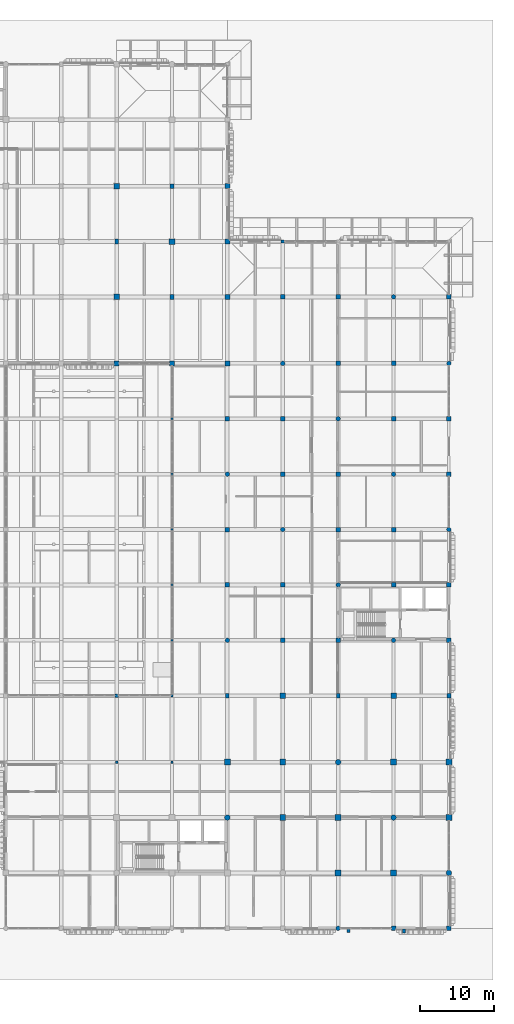
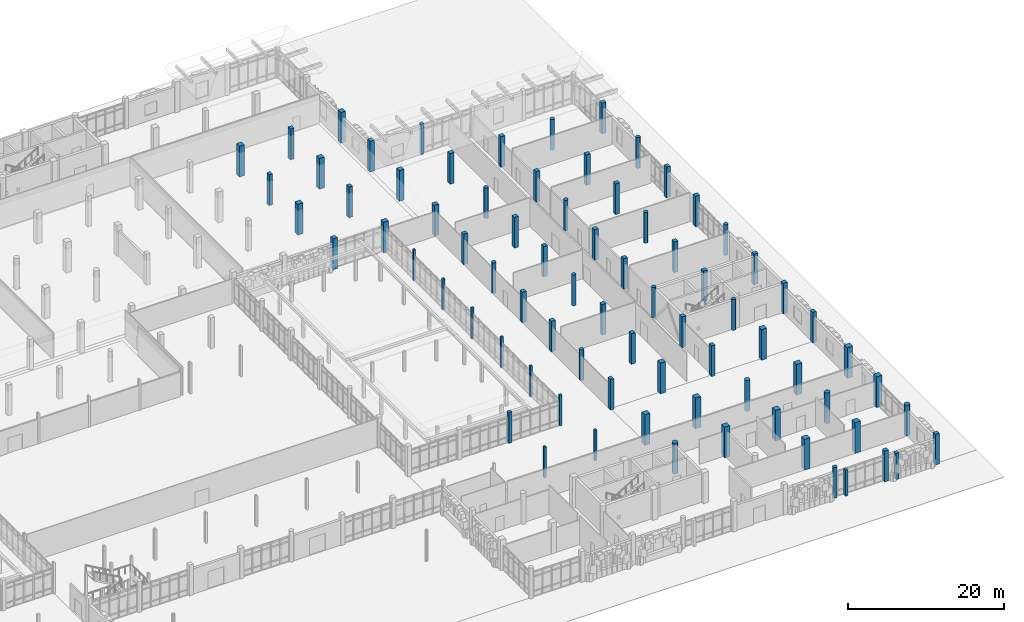
# One storey, part 12 of 125: 78 columns.
"""IFC4 building model written with IfcOpenShell, lengths in metres."""

from ifc_helpers import new_model, si_unit, direction, frame, origin, origin_2d, place, context, subcontext, project, spatial, rectangle, circle, extrude, material, material_profile, profile_set, type_object, element, save


model = new_model("IFC4")

# Units and contexts
model_context = context("Model", 3, precision=1e-05, world=origin(), true_north=direction((0.0, 1.0)))
body_context = subcontext(model_context, "Body", "Model", "MODEL_VIEW")
ifc_project = project(units=[si_unit("LENGTHUNIT", "METRE"), si_unit("AREAUNIT", "SQUARE_METRE"), si_unit("VOLUMEUNIT", "CUBIC_METRE"), si_unit("PLANEANGLEUNIT", "RADIAN"), si_unit("MASSUNIT", "GRAM", prefix="KILO")], contexts=[model_context])

# Site, building, storey
site_placement = place(None, origin())
site = spatial("IfcSite", under=ifc_project, at=site_placement, CompositionType="ELEMENT")
building_placement = place(site_placement, origin())
building = spatial("IfcBuilding", under=site, at=building_placement, Name="Dalvernix Boulevard General Hospital", CompositionType="ELEMENT")
storey_placement = place(building_placement, origin())
storey = spatial("IfcBuildingStorey", under=building, at=storey_placement, Name="L00", CompositionType="ELEMENT", Elevation=0.0)

# Columns
ifc_material_1 = material(Name="Concrete C40/50", Category="concrete")
ifc_material_profile_1 = material_profile(ifc_material_1, rectangle(XDim=0.800048828125, YDim=0.800048828125, at=origin_2d()), Name="RC 800x800")
ifc_profile_set_1 = profile_set([ifc_material_profile_1], Name="Concrete C40/50")
column_type_1 = type_object("IfcColumnType", Name="COL-C-03-E", PredefinedType="COLUMN", material=ifc_profile_set_1)
for number, where, z_axis, x_axis, name in (
    (1, (172.5, 15.0, 0.0), (0.0, 0.0, 1.0), (1.0, 0.0, 0.0), "L00 column 24C"),
    (2, (172.5, 22.5, 0.0), (0.0, 0.0, 1.0), (1.0, 0.0, 0.0), "L00 column 24D"),
):
    element("IfcColumn", number, at=place(storey_placement, frame(where, z_axis=z_axis, x_axis=x_axis)), inside=storey, type_object=column_type_1, Name=name, PredefinedType="COLUMN", context=body_context, shape_type="SweptSolid", body=[
        extrude(rectangle(XDim=0.800048828125, YDim=0.800048828125, at=origin_2d()), origin(), (0.0, 0.0, 1.0), 4.800048828125),
    ])
ifc_material_profile_2 = material_profile(ifc_material_1, rectangle(XDim=0.800048828125, YDim=0.800048828125, at=origin_2d()), Name="RC 800x800")
ifc_profile_set_2 = profile_set([ifc_material_profile_2], Name="Concrete C40/50")
column_type_2 = type_object("IfcColumnType", Name="COL-C-03-I", PredefinedType="COLUMN", material=ifc_profile_set_2)
for number, where, z_axis, x_axis, name in (
    (3, (142.5, 22.5, 0.0), (0.0, 0.0, 1.0), (1.0, 0.0, 0.0), "L00 column 20D"),
    (4, (150.0, 15.0, 0.0), (0.0, 0.0, 1.0), (1.0, 0.0, 0.0), "L00 column 21C"),
    (5, (150.0, 22.5, 0.0), (0.0, 0.0, 1.0), (1.0, 0.0, 0.0), "L00 column 21D"),
    (6, (157.5, 7.5, 0.0), (0.0, 0.0, 1.0), (1.0, 0.0, 0.0), "L00 column 22B"),
    (7, (157.5, 15.0, 0.0), (0.0, 0.0, 1.0), (1.0, 0.0, 0.0), "L00 column 22C"),
    (8, (165.0, 7.5, 0.0), (0.0, 0.0, 1.0), (1.0, 0.0, 0.0), "L00 column 23B"),
    (9, (165.0, 22.5, 0.0), (0.0, 0.0, 1.0), (1.0, 0.0, 0.0), "L00 column 23D"),
):
    element("IfcColumn", number, at=place(storey_placement, frame(where, z_axis=z_axis, x_axis=x_axis)), inside=storey, type_object=column_type_2, Name=name, PredefinedType="COLUMN", context=body_context, shape_type="SweptSolid", body=[
        extrude(rectangle(XDim=0.800048828125, YDim=0.800048828125, at=origin_2d()), origin(), (0.0, 0.0, 1.0), 4.800048828125),
    ])
ifc_material_profile_3 = material_profile(ifc_material_1, rectangle(XDim=0.75, YDim=0.75, at=origin_2d()), Name="RC 750x750")
ifc_profile_set_3 = profile_set([ifc_material_profile_3], Name="Concrete C40/50")
column_type_3 = type_object("IfcColumnType", Name="COL-C-04-I", PredefinedType="COLUMN", material=ifc_profile_set_3)
for number, where, z_axis, x_axis, name in (
    (10, (127.5, 85.5, 0.0), (0.0, 0.0, 1.0), (1.0, 0.0, 0.0), "L00 column 18M"),
    (11, (127.5, 100.5, 0.0), (0.0, 0.0, 1.0), (1.0, 0.0, 0.0), "L00 column 18P"),
    (12, (135.0, 93.0, 0.0), (0.0, 0.0, 1.0), (1.0, 0.0, 0.0), "L00 column 19N"),
    (13, (150.0, 31.5, 0.0), (0.0, 0.0, 1.0), (1.0, 0.0, 0.0), "L00 column 21E"),
    (14, (165.0, 31.5, 0.0), (0.0, 0.0, 1.0), (1.0, 0.0, 0.0), "L00 column 23E"),
):
    element("IfcColumn", number, at=place(storey_placement, frame(where, z_axis=z_axis, x_axis=x_axis)), inside=storey, type_object=column_type_3, Name=name, PredefinedType="COLUMN", context=body_context, shape_type="SweptSolid", body=[
        extrude(rectangle(XDim=0.75, YDim=0.75, at=origin_2d()), origin(), (0.0, 0.0, 1.0), 4.800048828125),
    ])
ifc_material_profile_4 = material_profile(ifc_material_1, rectangle(XDim=0.699951171875, YDim=0.699951171875, at=origin_2d()), Name="RC 700x700")
ifc_profile_set_4 = profile_set([ifc_material_profile_4], Name="Concrete C40/50")
column_type_4 = type_object("IfcColumnType", Name="COL-C-05-E", PredefinedType="COLUMN", material=ifc_profile_set_4)
for number, where, z_axis, x_axis, name in (
    (15, (135.0, 76.5, 0.0), (0.0, 0.0, 1.0), (1.0, 0.0, 0.0), "L00 column 19L"),
    (16, (142.5, 100.5, 0.0), (0.0, 0.0, 1.0), (1.0, 0.0, 0.0), "L00 column 20P"),
):
    element("IfcColumn", number, at=place(storey_placement, frame(where, z_axis=z_axis, x_axis=x_axis)), inside=storey, type_object=column_type_4, Name=name, PredefinedType="COLUMN", context=body_context, shape_type="SweptSolid", body=[
        extrude(rectangle(XDim=0.699951171875, YDim=0.699951171875, at=origin_2d()), origin(), (0.0, 0.0, 1.0), 4.800048828125),
    ])
ifc_material_profile_5 = material_profile(ifc_material_1, rectangle(XDim=0.699951171875, YDim=0.699951171875, at=origin_2d()), Name="RC 700x700")
ifc_profile_set_5 = profile_set([ifc_material_profile_5], Name="Concrete C40/50")
column_type_5 = type_object("IfcColumnType", Name="COL-C-05-I", PredefinedType="COLUMN", material=ifc_profile_set_5)
column_1_placement = place(storey_placement, frame((142.5, 85.5, 0.0), z_axis=(0.0, 0.0, 1.0), x_axis=(1.0, 0.0, 0.0)))
element("IfcColumn", 17, at=column_1_placement, inside=storey, type_object=column_type_5, Name="L00 column 20M", PredefinedType="COLUMN", context=body_context, shape_type="SweptSolid", body=[
    extrude(rectangle(XDim=0.699951171875, YDim=0.699951171875, at=origin_2d()), origin(), (0.0, 0.0, 1.0), 4.800048828125),
])
ifc_material_profile_6 = material_profile(ifc_material_1, rectangle(XDim=0.64990234375, YDim=0.64990234375, at=origin_2d()), Name="RC 650x650")
ifc_profile_set_6 = profile_set([ifc_material_profile_6], Name="Concrete C40/50")
column_type_6 = type_object("IfcColumnType", Name="COL-C-06-E", PredefinedType="COLUMN", material=ifc_profile_set_6)
for number, where, z_axis, x_axis, name in (
    (18, (127.5, 76.5, 0.0), (0.0, 0.0, 1.0), (1.0, 0.0, 0.0), "L00 column 18L"),
    (19, (142.5, 93.0, 0.0), (0.0, 0.0, 1.0), (1.0, 0.0, 0.0), "L00 column 20N"),
):
    element("IfcColumn", number, at=place(storey_placement, frame(where, z_axis=z_axis, x_axis=x_axis)), inside=storey, type_object=column_type_6, Name=name, PredefinedType="COLUMN", context=body_context, shape_type="SweptSolid", body=[
        extrude(rectangle(XDim=0.64990234375, YDim=0.64990234375, at=origin_2d()), origin(), (0.0, 0.0, 1.0), 4.800048828125),
    ])
ifc_material_profile_7 = material_profile(ifc_material_1, rectangle(XDim=0.64990234375, YDim=0.64990234375, at=origin_2d()), Name="RC 650x650")
ifc_profile_set_7 = profile_set([ifc_material_profile_7], Name="Concrete C40/50")
column_type_7 = type_object("IfcColumnType", Name="COL-C-06-I", PredefinedType="COLUMN", material=ifc_profile_set_7)
column_2_placement = place(storey_placement, frame((142.5, 76.5, 0.0), z_axis=(0.0, 0.0, 1.0), x_axis=(1.0, 0.0, 0.0)))
element("IfcColumn", 20, at=column_2_placement, inside=storey, type_object=column_type_7, Name="L00 column 20L", PredefinedType="COLUMN", context=body_context, shape_type="SweptSolid", body=[
    extrude(rectangle(XDim=0.64990234375, YDim=0.64990234375, at=origin_2d()), origin(), (0.0, 0.0, 1.0), 4.800048828125),
])
ifc_material_profile_8 = material_profile(ifc_material_1, rectangle(XDim=0.60009765625, YDim=0.60009765625, at=origin_2d()), Name="RC 600x600")
ifc_profile_set_8 = profile_set([ifc_material_profile_8], Name="Concrete C40/50")
column_type_8 = type_object("IfcColumnType", Name="COL-C-07-E", PredefinedType="COLUMN", material=ifc_profile_set_8)
for number, where, z_axis, x_axis, name in (
    (21, (165.0, 0.0, 0.0), (0.0, 0.0, 1.0), (1.0, 0.0, 0.0), "L00 column 23A"),
    (22, (172.5, 0.0, 0.0), (0.0, 0.0, 1.0), (1.0, 0.0, 0.0), "L00 column 24A"),
    (23, (172.5, 39.0, 0.0), (0.0, 0.0, 1.0), (1.0, 0.0, 0.0), "L00 column 24F"),
    (24, (172.5, 46.5, 0.0), (0.0, 0.0, 1.0), (1.0, 0.0, 0.0), "L00 column 24G"),
    (25, (172.5, 61.5, 0.0), (0.0, 0.0, 1.0), (1.0, 0.0, 0.0), "L00 column 24J"),
    (26, (172.5, 69.0, 0.0), (0.0, 0.0, 1.0), (1.0, 0.0, 0.0), "L00 column 24K"),
    (27, (172.5, 85.5, 0.0), (0.0, 0.0, 1.0), (1.0, 0.0, 0.0), "L00 column 24M"),
):
    element("IfcColumn", number, at=place(storey_placement, frame(where, z_axis=z_axis, x_axis=x_axis)), inside=storey, type_object=column_type_8, Name=name, PredefinedType="COLUMN", context=body_context, shape_type="SweptSolid", body=[
        extrude(rectangle(XDim=0.60009765625, YDim=0.60009765625, at=origin_2d()), origin(), (0.0, 0.0, 1.0), 4.800048828125),
    ])
ifc_material_profile_9 = material_profile(ifc_material_1, rectangle(XDim=0.60009765625, YDim=0.60009765625, at=origin_2d()), Name="RC 600x600")
ifc_profile_set_9 = profile_set([ifc_material_profile_9], Name="Concrete C40/50")
column_type_9 = type_object("IfcColumnType", Name="COL-C-07-I", PredefinedType="COLUMN", material=ifc_profile_set_9)
for number, where, z_axis, x_axis, name in (
    (28, (142.5, 46.5, 0.0), (0.0, 0.0, 1.0), (1.0, 0.0, 0.0), "L00 column 20G"),
    (29, (142.5, 54.0, 0.0), (0.0, 0.0, 1.0), (1.0, 0.0, 0.0), "L00 column 20H"),
    (30, (142.5, 69.0, 0.0), (0.0, 0.0, 1.0), (1.0, 0.0, 0.0), "L00 column 20K"),
    (31, (150.0, 39.0, 0.0), (0.0, 0.0, 1.0), (1.0, 0.0, 0.0), "L00 column 21F"),
    (32, (150.0, 46.5, 0.0), (0.0, 0.0, 1.0), (1.0, 0.0, 0.0), "L00 column 21G"),
    (33, (150.0, 61.5, 0.0), (0.0, 0.0, 1.0), (1.0, 0.0, 0.0), "L00 column 21J"),
    (34, (150.0, 69.0, 0.0), (0.0, 0.0, 1.0), (1.0, 0.0, 0.0), "L00 column 21K"),
    (35, (150.0, 85.5, 0.0), (0.0, 0.0, 1.0), (1.0, 0.0, 0.0), "L00 column 21M"),
    (36, (157.5, 39.0, 0.0), (0.0, 0.0, 1.0), (1.0, 0.0, 0.0), "L00 column 22F"),
    (37, (157.5, 54.0, 0.0), (0.0, 0.0, 1.0), (1.0, 0.0, 0.0), "L00 column 22H"),
    (38, (157.5, 61.5, 0.0), (0.0, 0.0, 1.0), (1.0, 0.0, 0.0), "L00 column 22J"),
    (39, (157.5, 76.5, 0.0), (0.0, 0.0, 1.0), (1.0, 0.0, 0.0), "L00 column 22L"),
    (40, (157.5, 85.5, 0.0), (0.0, 0.0, 1.0), (1.0, 0.0, 0.0), "L00 column 22M"),
    (41, (165.0, 46.5, 0.0), (0.0, 0.0, 1.0), (1.0, 0.0, 0.0), "L00 column 23G"),
    (42, (165.0, 54.0, 0.0), (0.0, 0.0, 1.0), (1.0, 0.0, 0.0), "L00 column 23H"),
    (43, (165.0, 69.0, 0.0), (0.0, 0.0, 1.0), (1.0, 0.0, 0.0), "L00 column 23K"),
    (44, (165.0, 76.5, 0.0), (0.0, 0.0, 1.0), (1.0, 0.0, 0.0), "L00 column 23L"),
):
    element("IfcColumn", number, at=place(storey_placement, frame(where, z_axis=z_axis, x_axis=x_axis)), inside=storey, type_object=column_type_9, Name=name, PredefinedType="COLUMN", context=body_context, shape_type="SweptSolid", body=[
        extrude(rectangle(XDim=0.60009765625, YDim=0.60009765625, at=origin_2d()), origin(), (0.0, 0.0, 1.0), 4.800048828125),
    ])
ifc_material_profile_10 = material_profile(ifc_material_1, rectangle(XDim=0.5, YDim=0.5, at=origin_2d()), Name="RC 500x500")
ifc_profile_set_10 = profile_set([ifc_material_profile_10], Name="Concrete C40/50")
column_type_10 = type_object("IfcColumnType", Name="COL-C-09-E", PredefinedType="COLUMN", material=ifc_profile_set_10)
column_3_placement = place(storey_placement, frame((127.5, 31.5, 0.0), z_axis=(0.0, 0.0, 1.0), x_axis=(1.0, 0.0, 0.0)))
element("IfcColumn", 45, at=column_3_placement, inside=storey, type_object=column_type_10, Name="L00 column 18E", PredefinedType="COLUMN", context=body_context, shape_type="SweptSolid", body=[
    extrude(rectangle(XDim=0.5, YDim=0.5, at=origin_2d()), origin(), (0.0, 0.0, 1.0), 4.800048828125),
])
ifc_material_profile_11 = material_profile(ifc_material_1, rectangle(XDim=0.449951171875, YDim=0.449951171875, at=origin_2d()), Name="RC 450x450")
ifc_profile_set_11 = profile_set([ifc_material_profile_11], Name="Concrete C40/50")
column_type_11 = type_object("IfcColumnType", Name="COL-C-10-E", PredefinedType="COLUMN", material=ifc_profile_set_11)
column_4_placement = place(storey_placement, frame((150.0, 93.0, 0.0), z_axis=(0.0, 0.0, 1.0), x_axis=(1.0, 0.0, 0.0)))
element("IfcColumn", 46, at=column_4_placement, inside=storey, type_object=column_type_11, Name="L00 column 21N", PredefinedType="COLUMN", context=body_context, shape_type="SweptSolid", body=[
    extrude(rectangle(XDim=0.449951171875, YDim=0.449951171875, at=origin_2d()), origin(), (0.0, 0.0, 1.0), 4.800048828125),
])
ifc_material_profile_12 = material_profile(ifc_material_1, rectangle(XDim=0.5, YDim=0.64990234375, at=origin_2d()), Name="RC 500x650")
ifc_profile_set_12 = profile_set([ifc_material_profile_12], Name="Concrete C40/50")
column_type_12 = type_object("IfcColumnType", Name="COL-C-12-E", PredefinedType="COLUMN", material=ifc_profile_set_12)
column_5_placement = place(storey_placement, frame((172.5, 31.5, 0.0), z_axis=(0.0, 0.0, 1.0), x_axis=(1.0, 0.0, 0.0)))
element("IfcColumn", 47, at=column_5_placement, inside=storey, type_object=column_type_12, Name="L00 column 24E", PredefinedType="COLUMN", context=body_context, shape_type="SweptSolid", body=[
    extrude(rectangle(XDim=0.5, YDim=0.64990234375, at=origin_2d()), origin(), (0.0, 0.0, 1.0), 4.800048828125),
])
ifc_material_profile_13 = material_profile(ifc_material_1, rectangle(XDim=0.5, YDim=0.64990234375, at=origin_2d()), Name="RC 500x650")
ifc_profile_set_13 = profile_set([ifc_material_profile_13], Name="Concrete C40/50")
column_type_13 = type_object("IfcColumnType", Name="COL-C-12-I", PredefinedType="COLUMN", material=ifc_profile_set_13)
for number, where, z_axis, x_axis, name in (
    (48, (127.5, 93.0, 0.0), (0.0, 0.0, 1.0), (1.0, 0.0, 0.0), "L00 column 18N"),
    (49, (135.0, 85.5, 0.0), (0.0, 0.0, 1.0), (1.0, 0.0, 0.0), "L00 column 19M"),
    (50, (135.0, 100.5, 0.0), (0.0, 0.0, 1.0), (1.0, 0.0, 0.0), "L00 column 19P"),
    (51, (142.5, 31.5, 0.0), (0.0, 0.0, 1.0), (1.0, 0.0, 0.0), "L00 column 20E"),
    (52, (157.5, 31.5, 0.0), (0.0, 0.0, 1.0), (1.0, 0.0, 0.0), "L00 column 22E"),
):
    element("IfcColumn", number, at=place(storey_placement, frame(where, z_axis=z_axis, x_axis=x_axis)), inside=storey, type_object=column_type_13, Name=name, PredefinedType="COLUMN", context=body_context, shape_type="SweptSolid", body=[
        extrude(rectangle(XDim=0.5, YDim=0.64990234375, at=origin_2d()), origin(), (0.0, 0.0, 1.0), 4.800048828125),
    ])
ifc_material_profile_14 = material_profile(ifc_material_1, circle(Radius=0.375, at=origin_2d()), Name="RC D750")
ifc_profile_set_14 = profile_set([ifc_material_profile_14], Name="Concrete C40/50")
column_type_14 = type_object("IfcColumnType", Name="COL-C-14-E", PredefinedType="COLUMN", material=ifc_profile_set_14)
column_6_placement = place(storey_placement, frame((172.5, 7.5, 0.0), z_axis=(0.0, 0.0, 1.0), x_axis=(1.0, 0.0, 0.0)))
element("IfcColumn", 53, at=column_6_placement, inside=storey, type_object=column_type_14, Name="L00 column 24B", PredefinedType="COLUMN", context=body_context, shape_type="SweptSolid", body=[
    extrude(circle(Radius=0.375, at=origin_2d()), origin(), (0.0, 0.0, 1.0), 4.800048828125),
])
ifc_material_profile_15 = material_profile(ifc_material_1, circle(Radius=0.375, at=origin_2d()), Name="RC D750")
ifc_profile_set_15 = profile_set([ifc_material_profile_15], Name="Concrete C40/50")
column_type_15 = type_object("IfcColumnType", Name="COL-C-14-I", PredefinedType="COLUMN", material=ifc_profile_set_15)
for number, where, z_axis, x_axis, name in (
    (54, (142.5, 15.0, 0.0), (0.0, 0.0, 1.0), (1.0, 0.0, 0.0), "L00 column 20C"),
    (55, (157.5, 22.5, 0.0), (0.0, 0.0, 1.0), (1.0, 0.0, 0.0), "L00 column 22D"),
    (56, (165.0, 15.0, 0.0), (0.0, 0.0, 1.0), (1.0, 0.0, 0.0), "L00 column 23C"),
):
    element("IfcColumn", number, at=place(storey_placement, frame(where, z_axis=z_axis, x_axis=x_axis)), inside=storey, type_object=column_type_15, Name=name, PredefinedType="COLUMN", context=body_context, shape_type="SweptSolid", body=[
        extrude(circle(Radius=0.375, at=origin_2d()), origin(), (0.0, 0.0, 1.0), 4.800048828125),
    ])
ifc_material_profile_16 = material_profile(ifc_material_1, circle(Radius=0.300048828125, at=origin_2d()), Name="RC D600")
ifc_profile_set_16 = profile_set([ifc_material_profile_16], Name="Concrete C40/50")
column_type_16 = type_object("IfcColumnType", Name="COL-C-15-E", PredefinedType="COLUMN", material=ifc_profile_set_16)
for number, where, z_axis, x_axis, name in (
    (57, (157.5, 0.0, 0.0), (0.0, 0.0, 1.0), (1.0, 0.0, 0.0), "L00 column 22A"),
    (58, (172.5, 54.0, 0.0), (0.0, 0.0, 1.0), (1.0, 0.0, 0.0), "L00 column 24H"),
    (59, (172.5, 76.5, 0.0), (0.0, 0.0, 1.0), (1.0, 0.0, 0.0), "L00 column 24L"),
):
    element("IfcColumn", number, at=place(storey_placement, frame(where, z_axis=z_axis, x_axis=x_axis)), inside=storey, type_object=column_type_16, Name=name, PredefinedType="COLUMN", context=body_context, shape_type="SweptSolid", body=[
        extrude(circle(Radius=0.300048828125, at=origin_2d()), origin(), (0.0, 0.0, 1.0), 4.800048828125),
    ])
ifc_material_profile_17 = material_profile(ifc_material_1, circle(Radius=0.300048828125, at=origin_2d()), Name="RC D600")
ifc_profile_set_17 = profile_set([ifc_material_profile_17], Name="Concrete C40/50")
column_type_17 = type_object("IfcColumnType", Name="COL-C-15-I", PredefinedType="COLUMN", material=ifc_profile_set_17)
for number, where, z_axis, x_axis, name in (
    (60, (142.5, 39.0, 0.0), (0.0, 0.0, 1.0), (1.0, 0.0, 0.0), "L00 column 20F"),
    (61, (142.5, 61.5, 0.0), (0.0, 0.0, 1.0), (1.0, 0.0, 0.0), "L00 column 20J"),
    (62, (150.0, 54.0, 0.0), (0.0, 0.0, 1.0), (1.0, 0.0, 0.0), "L00 column 21H"),
    (63, (150.0, 76.5, 0.0), (0.0, 0.0, 1.0), (1.0, 0.0, 0.0), "L00 column 21L"),
    (64, (157.5, 46.5, 0.0), (0.0, 0.0, 1.0), (1.0, 0.0, 0.0), "L00 column 22G"),
    (65, (157.5, 69.0, 0.0), (0.0, 0.0, 1.0), (1.0, 0.0, 0.0), "L00 column 22K"),
    (66, (165.0, 39.0, 0.0), (0.0, 0.0, 1.0), (1.0, 0.0, 0.0), "L00 column 23F"),
    (67, (165.0, 61.5, 0.0), (0.0, 0.0, 1.0), (1.0, 0.0, 0.0), "L00 column 23J"),
    (68, (165.0, 85.5, 0.0), (0.0, 0.0, 1.0), (1.0, 0.0, 0.0), "L00 column 23M"),
):
    element("IfcColumn", number, at=place(storey_placement, frame(where, z_axis=z_axis, x_axis=x_axis)), inside=storey, type_object=column_type_17, Name=name, PredefinedType="COLUMN", context=body_context, shape_type="SweptSolid", body=[
        extrude(circle(Radius=0.300048828125, at=origin_2d()), origin(), (0.0, 0.0, 1.0), 4.800048828125),
    ])
ifc_material_2 = material(Name="Glulam GL28h", Category="wood")
ifc_material_profile_18 = material_profile(ifc_material_2, rectangle(XDim=0.320068359375, YDim=0.320068359375, at=origin_2d()), Name="GL28h 320x320")
ifc_profile_set_18 = profile_set([ifc_material_profile_18], Name="Glulam GL28h")
column_type_18 = type_object("IfcColumnType", Name="COL-C-20-E", PredefinedType="COLUMN", material=ifc_profile_set_18)
for number, where, z_axis, x_axis, name in (
    (69, (135.0, 31.5, 0.0), (0.0, 0.0, 1.0), (1.0, 0.0, 0.0), "L00 column 19E"),
    (70, (135.0, 39.0, 0.0), (0.0, 0.0, 1.0), (1.0, 0.0, 0.0), "L00 column 19F"),
    (71, (135.0, 46.5, 0.0), (0.0, 0.0, 1.0), (1.0, 0.0, 0.0), "L00 column 19G"),
    (72, (135.0, 54.0, 0.0), (0.0, 0.0, 1.0), (1.0, 0.0, 0.0), "L00 column 19H"),
    (73, (135.0, 61.5, 0.0), (0.0, 0.0, 1.0), (1.0, 0.0, 0.0), "L00 column 19J"),
    (74, (135.0, 69.0, 0.0), (0.0, 0.0, 1.0), (1.0, 0.0, 0.0), "L00 column 19K"),
):
    element("IfcColumn", number, at=place(storey_placement, frame(where, z_axis=z_axis, x_axis=x_axis)), inside=storey, type_object=column_type_18, Name=name, PredefinedType="COLUMN", context=body_context, shape_type="SweptSolid", body=[
        extrude(rectangle(XDim=0.320068359375, YDim=0.320068359375, at=origin_2d()), origin(), (0.0, 0.0, 1.0), 4.800048828125),
    ])
ifc_material_profile_19 = material_profile(ifc_material_2, rectangle(XDim=0.320068359375, YDim=0.320068359375, at=origin_2d()), Name="GL28h 320x320")
ifc_profile_set_19 = profile_set([ifc_material_profile_19], Name="Glulam GL28h")
column_type_19 = type_object("IfcColumnType", Name="COL-C-20-I", PredefinedType="COLUMN", material=ifc_profile_set_19)
for number, where, z_axis, x_axis, name in (
    (75, (127.5, 22.5, 0.0), (0.0, 0.0, 1.0), (1.0, 0.0, 0.0), "L00 column 18D"),
    (76, (135.0, 22.5, 0.0), (0.0, 0.0, 1.0), (1.0, 0.0, 0.0), "L00 column 19D"),
):
    element("IfcColumn", number, at=place(storey_placement, frame(where, z_axis=z_axis, x_axis=x_axis)), inside=storey, type_object=column_type_19, Name=name, PredefinedType="COLUMN", context=body_context, shape_type="SweptSolid", body=[
        extrude(rectangle(XDim=0.320068359375, YDim=0.320068359375, at=origin_2d()), origin(), (0.0, 0.0, 1.0), 4.800048828125),
    ])
ifc_material_profile_20 = material_profile(ifc_material_1, rectangle(XDim=0.35009765625, YDim=0.5, at=origin_2d()), Name="RC 350x500")
ifc_profile_set_20 = profile_set([ifc_material_profile_20], Name="Concrete C40/50")
column_type_20 = type_object("IfcColumnType", Name="COL-CP-01", PredefinedType="PILASTER", material=ifc_profile_set_20)
column_7_placement = place(storey_placement, frame((158.89990234375, -0.340087890625, 0.0), z_axis=(0.0, 0.0, 1.0), x_axis=(1.0, 0.0, 0.0)))
element("IfcColumn", 77, at=column_7_placement, inside=storey, type_object=column_type_20, Name="L00 boulevard facade pilaster 11", PredefinedType="PILASTER", context=body_context, shape_type="SweptSolid", body=[
    extrude(rectangle(XDim=0.35009765625, YDim=0.5, at=origin_2d()), origin(), (0.0, 0.0, 1.0), 4.10009765625),
])
ifc_material_profile_21 = material_profile(ifc_material_1, rectangle(XDim=0.39990234375, YDim=0.550048828125, at=origin_2d()), Name="RC 400x550")
ifc_profile_set_21 = profile_set([ifc_material_profile_21], Name="Concrete C40/50")
column_type_21 = type_object("IfcColumnType", Name="COL-CP-02", PredefinedType="PILASTER", material=ifc_profile_set_21)
column_8_placement = place(storey_placement, frame((166.39990234375, -0.340087890625, 0.0), z_axis=(0.0, 0.0, 1.0), x_axis=(1.0, 0.0, 0.0)))
element("IfcColumn", 78, at=column_8_placement, inside=storey, type_object=column_type_21, Name="L00 boulevard facade pilaster 12", PredefinedType="PILASTER", context=body_context, shape_type="SweptSolid", body=[
    extrude(rectangle(XDim=0.39990234375, YDim=0.550048828125, at=origin_2d()), origin(), (0.0, 0.0, 1.0), 4.10009765625),
])

save(model, "model.ifc")
